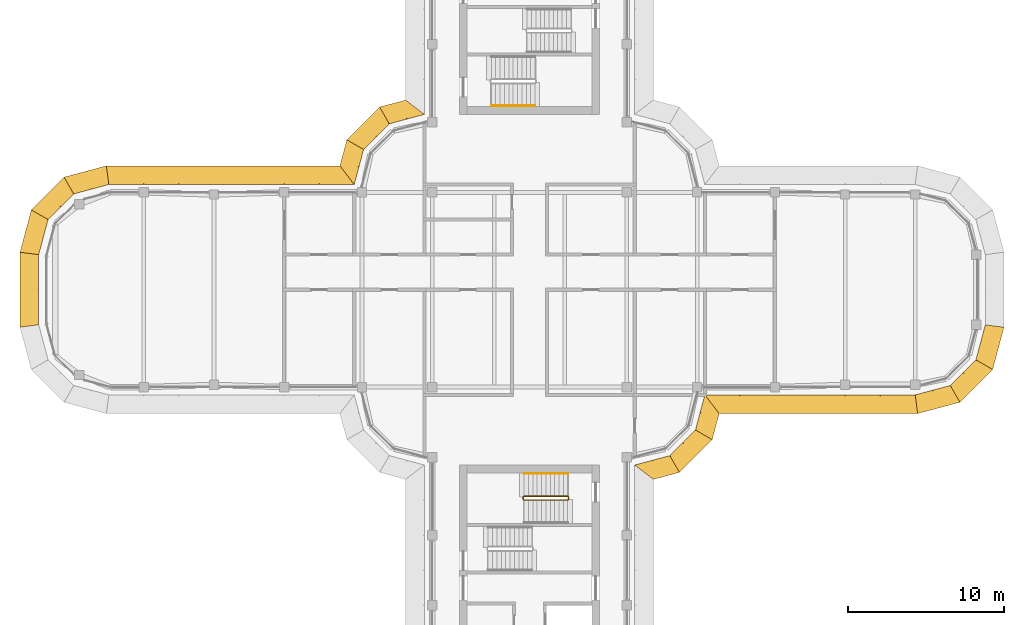
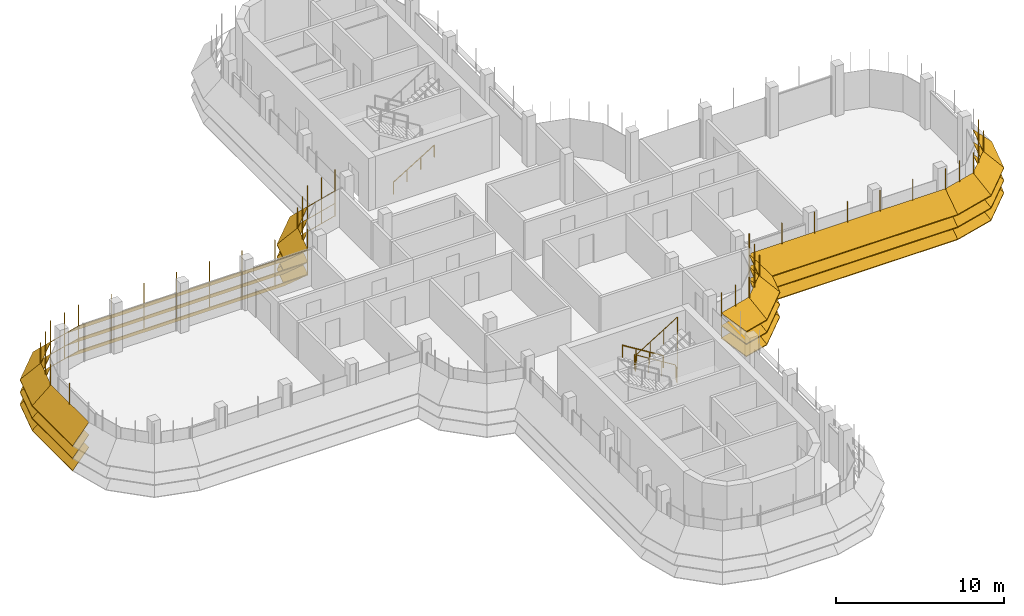
# One storey, part 17 of 19: 7 shading devices, 3 railings.
"""IFC4 building model written with IfcOpenShell, lengths in metres."""

import ifcopenshell
import ifcopenshell.guid

model = None  # the IFC model being written
_history = None  # IfcOwnerHistory: only IFC2X3 demands one
_inside = {}  # id of a spatial element -> (the spatial element, [elements in it])
_under = {}  # id of a project, library or spatial element -> (it, [spatial elements below it])
_declared = {}  # id of a project -> (the project, [libraries it declares])
_typed = {}  # id of a type object -> (the type object, [elements of that type])
_made_of = {}  # id of a material, layer set ... -> (it, [elements and type objects made of it])


def new_model(schema):
    """Start an empty IFC model of exactly this schema.

    Asked for "IFC4X3", IfcOpenShell would pick the latest addendum, in which some entities
    have other attributes; the version numbers below select the first issue.
    IFC2X3 requires an IfcOwnerHistory on every rooted entity: one is made here for all.
    """
    global model, _history
    if schema == "IFC4X3":
        model = ifcopenshell.file(schema_version=(4, 3, 0, 0))
    else:
        model = ifcopenshell.file(schema=schema)
    _inside.clear()
    _under.clear()
    _declared.clear()
    _typed.clear()
    _made_of.clear()
    _history = None
    if model.schema == "IFC2X3":
        org = make("IfcOrganization", Name="unknown")
        user = make(
            "IfcPersonAndOrganization",
            ThePerson=make("IfcPerson", FamilyName="unknown"),
            TheOrganization=org,
        )
        app = make(
            "IfcApplication",
            ApplicationDeveloper=org,
            Version="unknown",
            ApplicationFullName="unknown",
            ApplicationIdentifier="unknown",
        )
        _history = make(
            "IfcOwnerHistory",
            OwningUser=user,
            OwningApplication=app,
            ChangeAction="ADDED",
            CreationDate=0,
        )
    return model


def make(cls, **values):
    """One entity of the class cls with the attributes given. An attribute that is None is left unset."""
    return model.create_entity(
        cls, **{name: value for name, value in values.items() if value is not None}
    )


def rooted(cls, **values):
    """An entity with a GlobalId (a new one), such as an element, a storey or a relation."""
    return make(cls, GlobalId=ifcopenshell.guid.new(), OwnerHistory=_history, **values)


def si_unit(unit_type, name, prefix=None):
    """IfcSIUnit, for example si_unit("LENGTHUNIT", "METRE", prefix="MILLI")."""
    return make("IfcSIUnit", UnitType=unit_type, Prefix=prefix, Name=name)


def assignment(units):
    """IfcUnitAssignment: the units of a project."""
    return None if units is None else make("IfcUnitAssignment", Units=units)


def point(xyz):
    """IfcCartesianPoint."""
    return None if xyz is None else make("IfcCartesianPoint", Coordinates=xyz)


def direction(xyz):
    """IfcDirection."""
    return None if xyz is None else make("IfcDirection", DirectionRatios=xyz)


def frame(location, z_axis=None, x_axis=None):
    """IfcAxis2Placement3D, a coordinate frame: its origin and axes. An axis left out is left unset."""
    return make(
        "IfcAxis2Placement3D",
        Location=point(location),
        Axis=direction(z_axis),
        RefDirection=direction(x_axis),
    )


def frame_2d(location, x_axis=None):
    """IfcAxis2Placement2D, a coordinate frame in the plane: its origin and x axis."""
    return make(
        "IfcAxis2Placement2D", Location=point(location), RefDirection=direction(x_axis)
    )


def origin():
    """The frame at (0, 0, 0) with its axes left unset."""
    return frame((0.0, 0.0, 0.0))


def origin_2d():
    """The frame at (0, 0) in the plane with its x axis left unset."""
    return frame_2d((0.0, 0.0))


def place(relative_to, where):
    """IfcLocalPlacement: puts the frame where relative to a parent placement (None: the world)."""
    return make(
        "IfcLocalPlacement", PlacementRelTo=relative_to, RelativePlacement=where
    )


def context(
    kind, dimensions, precision=None, world=None, true_north=None, identifier=None
):
    """IfcGeometricRepresentationContext, for example the 3D "Model" context."""
    return make(
        "IfcGeometricRepresentationContext",
        ContextIdentifier=identifier,
        ContextType=kind,
        CoordinateSpaceDimension=dimensions,
        Precision=precision,
        WorldCoordinateSystem=world,
        TrueNorth=true_north,
    )


def subcontext(parent, identifier, kind, view, scale=None):
    """IfcGeometricRepresentationSubContext, for example "Body" below "Model"."""
    return make(
        "IfcGeometricRepresentationSubContext",
        ContextIdentifier=identifier,
        ContextType=kind,
        ParentContext=parent,
        TargetScale=scale,
        TargetView=view,
    )


def project(units=None, contexts=None):
    """IfcProject with its units and contexts."""
    return rooted(
        "IfcProject",
        Name="project",
        RepresentationContexts=contexts,
        UnitsInContext=assignment(units),
    )


def spatial(cls, under=None, at=None, **own):
    """A site, building, storey or space (cls), placed at a placement, below another one or the project."""
    s = rooted(cls, ObjectPlacement=at, **own)
    if under is not None:
        _under.setdefault(under.id(), (under, []))[1].append(s)
    return s


def polyline(points):
    """IfcPolyline through the points."""
    return make("IfcPolyline", Points=[point(p) for p in points])


def profile(cls, at=None, kind="AREA", **sizes):
    """A parametric profile (cls). Its sizes go by their IFC names, for example OverallWidth=200.0."""
    return make(cls, ProfileType=kind, Position=at, **sizes)


def circle(**sizes):
    """IfcCircleProfileDef."""
    return profile("IfcCircleProfileDef", **sizes)


def outline(outer, holes=None, kind="AREA"):
    """IfcArbitraryClosedProfileDef: a profile drawn as a closed curve; with holes, ...WithVoids."""
    if holes is None:
        return make("IfcArbitraryClosedProfileDef", ProfileType=kind, OuterCurve=outer)
    return make(
        "IfcArbitraryProfileDefWithVoids",
        ProfileType=kind,
        OuterCurve=outer,
        InnerCurves=holes,
    )


def extrude(swept, where, along, depth):
    """IfcExtrudedAreaSolid: the profile swept, set in the frame where, extruded along a direction by depth."""
    return make(
        "IfcExtrudedAreaSolid",
        SweptArea=swept,
        Position=where,
        ExtrudedDirection=direction(along),
        Depth=depth,
    )


def faces_of(points, faces, orient=None, outer=None):
    """IfcFace entities. A face is a list of loops; a loop is a list of indices into points, from 0.

    orient and outer hold one flag for each loop. By default every Orientation is true, the
    first loop of a face is its IfcFaceOuterBound and the others are IfcFaceBound.
    """
    made = []
    for i, loops in enumerate(faces):
        bounds = []
        for j, loop in enumerate(loops):
            is_outer = j == 0 if outer is None else outer[i][j]
            bounds.append(
                make(
                    "IfcFaceOuterBound" if is_outer else "IfcFaceBound",
                    Bound=make("IfcPolyLoop", Polygon=[points[k] for k in loop]),
                    Orientation=True if orient is None else orient[i][j],
                )
            )
        made.append(make("IfcFace", Bounds=bounds))
    return made


def faceted_brep(points, faces, orient=None, outer=None, voids=None):
    """IfcFacetedBrep: a solid bounded by flat faces; with voids (closed shells), ...WithVoids."""
    shared = [point(p) for p in points]
    hull = make("IfcClosedShell", CfsFaces=faces_of(shared, faces, orient, outer))
    if voids is None:
        return make("IfcFacetedBrep", Outer=hull)
    return make(
        "IfcFacetedBrepWithVoids",
        Outer=hull,
        Voids=[
            make(cls, CfsFaces=faces_of(shared, fs, o, b)) for cls, fs, o, b in voids
        ],
    )


def shape(context_of_items, identifier, shape_type, items):
    """IfcShapeRepresentation: the items that make up one representation, for example the "Body"."""
    return make(
        "IfcShapeRepresentation",
        ContextOfItems=context_of_items,
        RepresentationIdentifier=identifier,
        RepresentationType=shape_type,
        Items=items,
    )


def source(mapping_origin, context_of_items, identifier, shape_type, items):
    """IfcRepresentationMap: a shape defined once, which mapped items show again and again."""
    return make(
        "IfcRepresentationMap",
        MappingOrigin=mapping_origin,
        MappedRepresentation=shape(context_of_items, identifier, shape_type, items),
    )


def transform(
    local_origin,
    x_axis=None,
    y_axis=None,
    z_axis=None,
    scale=None,
    scale2=None,
    scale3=None,
    uniform=True,
):
    """IfcCartesianTransformationOperator3D, or its non-uniform kind. x_axis, y_axis, z_axis: its Axis1, 2, 3."""
    if uniform:
        return make(
            "IfcCartesianTransformationOperator3D",
            Axis1=direction(x_axis),
            Axis2=direction(y_axis),
            LocalOrigin=point(local_origin),
            Scale=scale,
            Axis3=direction(z_axis),
        )
    return make(
        "IfcCartesianTransformationOperator3DnonUniform",
        Axis1=direction(x_axis),
        Axis2=direction(y_axis),
        LocalOrigin=point(local_origin),
        Scale=scale,
        Axis3=direction(z_axis),
        Scale2=scale2,
        Scale3=scale3,
    )


def mapped(mapping_source, mapping_target):
    """IfcMappedItem: shows the shape of a source again, moved by a transform."""
    return make(
        "IfcMappedItem", MappingSource=mapping_source, MappingTarget=mapping_target
    )


def material(Name=None, Category=None):
    """IfcMaterial."""
    return make("IfcMaterial", Name=Name, Category=Category)


def made_of(thing, what):
    """Note that an element or type object is made of a material, layer set ...; save() writes the relation."""
    if what is not None:
        _made_of.setdefault(what.id(), (what, []))[1].append(thing)
    return thing


def type_object(cls, material=None, **own):
    """A type object (cls), such as IfcWallType, which elements share."""
    return made_of(rooted(cls, **own), material)


def element(
    cls,
    number,
    at=None,
    inside=None,
    cuts=None,
    type_object=None,
    material=None,
    context=None,
    identifier="Body",
    shape_type=None,
    held_by="IfcProductDefinitionShape",
    body=None,
    shapes=None,
    **own,
):
    """One element of the class cls, such as IfcWall. Its Tag is "e" and its number.

    at: its placement. inside: the storey or other place that contains it. cuts: it is an
    opening in that element (IfcRelVoidsElement). A single representation is given by context,
    identifier, shape_type and body (its items); several are given by shapes. held_by: the class
    of the entity that holds the representations. save() writes the other relations.
    """
    e = rooted(cls, Tag="e%d" % number, ObjectPlacement=at, **own)
    if body is not None:
        shapes = [shape(context, identifier, shape_type, body)]
    if shapes is not None:
        e.Representation = make(held_by, Representations=shapes)
    if inside is not None:
        _inside.setdefault(inside.id(), (inside, []))[1].append(e)
    if cuts is not None:
        rooted(
            "IfcRelVoidsElement", RelatingBuildingElement=cuts, RelatedOpeningElement=e
        )
    if type_object is not None:
        _typed.setdefault(type_object.id(), (type_object, []))[1].append(e)
    return made_of(e, material)


def aggregate(whole, parts):
    """IfcRelAggregates: a whole, such as a stair, and the parts it consists of."""
    return rooted("IfcRelAggregates", RelatingObject=whole, RelatedObjects=parts)


def save(model, path):
    """Write the relations noted so far, then the file.

    IfcRelAggregates (storeys below a building ...), IfcRelContainedInSpatialStructure (elements
    in a storey), IfcRelDefinesByType, IfcRelAssociatesMaterial and IfcRelDeclares: one each for
    every whole, place, type object, material and project.
    """
    for whole, parts in _under.values():
        aggregate(whole, parts)
    for where, things in _inside.values():
        rooted(
            "IfcRelContainedInSpatialStructure",
            RelatedElements=things,
            RelatingStructure=where,
        )
    for kind, things in _typed.values():
        rooted("IfcRelDefinesByType", RelatedObjects=things, RelatingType=kind)
    for what, things in _made_of.values():
        rooted("IfcRelAssociatesMaterial", RelatedObjects=things, RelatingMaterial=what)
    for by, libraries in _declared.values():
        rooted("IfcRelDeclares", RelatingContext=by, RelatedDefinitions=libraries)
    model.write(path)


model = new_model("IFC4")

# Units and contexts
model_context = context("Model", 3, precision=1e-05, world=origin(), true_north=direction((0.0, 1.0)))
body_context = subcontext(model_context, "Body", "Model", "MODEL_VIEW")
ifc_project = project(units=[si_unit("LENGTHUNIT", "METRE"), si_unit("AREAUNIT", "SQUARE_METRE"), si_unit("VOLUMEUNIT", "CUBIC_METRE"), si_unit("PLANEANGLEUNIT", "RADIAN"), si_unit("MASSUNIT", "GRAM", prefix="KILO")], contexts=[model_context])

# Site, building, storey
site_placement = place(None, origin())
site = spatial("IfcSite", under=ifc_project, at=site_placement, CompositionType="ELEMENT")
building_placement = place(site_placement, origin())
building = spatial("IfcBuilding", under=site, at=building_placement, Name="Zarbagh Exchange Tower", CompositionType="ELEMENT")
storey_placement = place(building_placement, frame((0.0, 0.0, 261.199951171875)))
storey = spatial("IfcBuildingStorey", under=building, at=storey_placement, Name="L64", CompositionType="ELEMENT", Elevation=261.199951171875)

# Railings
ifc_material_1 = material(Name="Stainless steel", Category="steel")
railing_type_1 = type_object("IfcRailingType", Name="Stair guard 1100 mm", PredefinedType="GUARDRAIL", material=ifc_material_1)
railing_1_placement = place(storey_placement, frame((-0.35009765625, -13.5, 2.07275390625)))
element("IfcRailing", 1, at=railing_1_placement, inside=storey, type_object=railing_type_1, Name="ST4 stair guard 1", PredefinedType="GUARDRAIL", context=body_context, shape_type="SweptSolid", body=[
    extrude(circle(Radius=0.02392578125, at=origin_2d()), frame((0.0, 0.0, 1.076171875), z_axis=(0.851089632645, 0.0, 0.525020415988), x_axis=(0.0, 1.0, 0.0)), (0.0, 0.0, 1.0), 3.2900390625),
    extrude(circle(Radius=0.02392578125, at=origin_2d()), frame((2.800048828125, 0.0, 2.80322265625), z_axis=(0.013168290981, 0.013168290981, -0.999826581076), x_axis=(-0.707106781187, 0.707106781187, 0.0)), (0.0, 0.0, 1.0), 3.80078125),
    extrude(circle(Radius=0.02392578125, at=origin_2d()), frame((2.85009765625, 0.050048828125, -0.99658203125), z_axis=(0.0, 1.0, 0.0), x_axis=(-1.0, 0.0, 0.0)), (0.0, 0.0, 1.0), 0.14990234375),
    extrude(circle(Radius=0.02392578125, at=origin_2d()), frame((2.85009765625, 0.199951171875, -0.99658203125), z_axis=(-0.267953482034, 0.267953482034, 0.925419830635), x_axis=(-0.707106781187, -0.707106781187, 0.0)), (0.0, 0.0, 1.0), 0.186767578125),
    extrude(circle(Radius=0.02392578125, at=origin_2d()), frame((2.800048828125, 0.25, -0.82373046875), z_axis=(-0.851089632645, 0.0, 0.525020415988), x_axis=(0.0, -1.0, 0.0)), (0.0, 0.0, 1.0), 3.2900390625),
    extrude(circle(Radius=0.02392578125, at=origin_2d()), frame((0.0, 0.25, 0.9033203125), z_axis=(-0.705375805398, -0.708833529934, 0.0), x_axis=(0.708833529934, -0.705375805398, 0.0)), (0.0, 0.0, 1.0), 0.070556640625),
    extrude(circle(Radius=0.02392578125, at=origin_2d()), frame((-0.0498046875, 0.199951171875, 0.9033203125), z_axis=(0.0, -1.0, 0.0), x_axis=(1.0, 0.0, 0.0)), (0.0, 0.0, 1.0), 0.14990234375),
    extrude(circle(Radius=0.02099609375, at=origin_2d()), origin(), (0.0, 0.0, 1.0), 1.052001953125),
    extrude(circle(Radius=0.02099609375, at=origin_2d()), frame((0.933349609375, 0.0, 0.57568359375)), (0.0, 0.0, 1.0), 1.052001953125),
    extrude(circle(Radius=0.02099609375, at=origin_2d()), frame((1.86669921875, 0.0, 1.151611328125)), (0.0, 0.0, 1.0), 1.052001953125),
    extrude(circle(Radius=0.02099609375, at=origin_2d()), frame((2.800048828125, 0.0, 1.727294921875)), (0.0, 0.0, 1.0), 1.052001953125),
    extrude(circle(Radius=0.02099609375, at=origin_2d()), frame((2.8125, 0.012451171875, 0.77734375)), (0.0, 0.0, 1.0), 1.052001953125),
    extrude(circle(Radius=0.02099609375, at=origin_2d()), frame((2.8251953125, 0.02490234375, -0.1728515625)), (0.0, 0.0, 1.0), 1.052001953125),
    extrude(circle(Radius=0.02099609375, at=origin_2d()), frame((2.837646484375, 0.03759765625, -1.122802734375)), (0.0, 0.0, 1.0), 1.052001953125),
    extrude(circle(Radius=0.02099609375, at=origin_2d()), frame((2.85009765625, 0.050048828125, -2.07275390625)), (0.0, 0.0, 1.0), 1.052001953125),
    extrude(circle(Radius=0.02099609375, at=origin_2d()), frame((2.85009765625, 0.199951171875, -2.07275390625)), (0.0, 0.0, 1.0), 1.052001953125),
    extrude(circle(Radius=0.02099609375, at=origin_2d()), frame((2.800048828125, 0.25, -1.89990234375)), (0.0, 0.0, 1.0), 1.052001953125),
    extrude(circle(Radius=0.02099609375, at=origin_2d()), frame((1.86669921875, 0.25, -1.32421875)), (0.0, 0.0, 1.0), 1.052001953125),
    extrude(circle(Radius=0.02099609375, at=origin_2d()), frame((0.933349609375, 0.25, -0.748291015625)), (0.0, 0.0, 1.0), 1.052001953125),
    extrude(circle(Radius=0.02099609375, at=origin_2d()), frame((0.0, 0.25, -0.172607421875)), (0.0, 0.0, 1.0), 1.052001953125),
    extrude(circle(Radius=0.02099609375, at=origin_2d()), frame((-0.0498046875, 0.199951171875, -0.172607421875)), (0.0, 0.0, 1.0), 1.052001953125),
    extrude(circle(Radius=0.02099609375, at=origin_2d()), frame((-0.0498046875, 0.050048828125, -0.172607421875)), (0.0, 0.0, 1.0), 1.052001953125),
])
railing_type_2 = type_object("IfcRailingType", Name="Stair handrail 900 mm", PredefinedType="HANDRAIL", material=ifc_material_1)
railing_2_placement = place(storey_placement, frame((-2.449951171875, 11.800048828125, 0.1728515625)))
element("IfcRailing", 2, at=railing_2_placement, inside=storey, type_object=railing_type_2, Name="ST2 stair handrail 1", PredefinedType="HANDRAIL", context=body_context, shape_type="SweptSolid", body=[
    extrude(circle(Radius=0.02392578125, at=origin_2d()), frame((0.0, 0.0, 0.8759765625), z_axis=(0.851089632645, 0.0, 0.525020415988), x_axis=(0.0, 1.0, 0.0)), (0.0, 0.0, 1.0), 3.2900390625),
    extrude(circle(Radius=0.02099609375, at=origin_2d()), origin(), (0.0, 0.0, 1.0), 0.851806640625),
    extrude(circle(Radius=0.02099609375, at=origin_2d()), frame((0.933349609375, 0.0, 0.57568359375)), (0.0, 0.0, 1.0), 0.851806640625),
    extrude(circle(Radius=0.02099609375, at=origin_2d()), frame((1.86669921875, 0.0, 1.151611328125)), (0.0, 0.0, 1.0), 0.851806640625),
    extrude(circle(Radius=0.02099609375, at=origin_2d()), frame((2.800048828125, 0.0, 1.727294921875)), (0.0, 0.0, 1.0), 0.851806640625),
])
railing_3_placement = place(storey_placement, frame((2.449951171875, -11.800048828125, 0.1728515625)))
element("IfcRailing", 3, at=railing_3_placement, inside=storey, type_object=railing_type_2, Name="ST4 stair handrail 1", PredefinedType="HANDRAIL", context=body_context, shape_type="SweptSolid", body=[
    extrude(circle(Radius=0.02392578125, at=origin_2d()), frame((0.0, 0.0, 0.8759765625), z_axis=(-0.851089632645, 0.0, 0.525020415988), x_axis=(0.0, -1.0, 0.0)), (0.0, 0.0, 1.0), 3.2900390625),
    extrude(circle(Radius=0.02099609375, at=origin_2d()), origin(), (0.0, 0.0, 1.0), 0.851806640625),
    extrude(circle(Radius=0.02099609375, at=origin_2d()), frame((-0.933349609375, 0.0, 0.57568359375)), (0.0, 0.0, 1.0), 0.851806640625),
    extrude(circle(Radius=0.02099609375, at=origin_2d()), frame((-1.86669921875, 0.0, 1.151611328125)), (0.0, 0.0, 1.0), 0.851806640625),
    extrude(circle(Radius=0.02099609375, at=origin_2d()), frame((-2.800048828125, 0.0, 1.727294921875)), (0.0, 0.0, 1.0), 0.851806640625),
])

# Shading devices
ifc_material_2 = material(Name="Anodised aluminium blades and brackets", Category="aluminium")
shading_device_type = type_object("IfcShadingDeviceType", Name="SUNSHADE louvre band, 45 degree blades", PredefinedType="JALOUSIE", material=ifc_material_2)
shared_shape_1 = source(origin(), body_context, "Body", "Brep", [
    faceted_brep([(0.0, 0.0, 0.0), (0.0, 0.0, -0.056640625), (-0.157958984375, -1.199951171875, -1.256591796875), (-0.157958984375, -1.199951171875, -1.199951171875), (2.65087890625, -1.199951171875, -1.199951171875), (2.65087890625, -1.199951171875, -1.256591796875), (2.329345703125, 0.0, -0.056640625), (2.329345703125, 0.0, 0.0)], [[[0, 1, 2, 3]], [[4, 5, 6, 7]], [[0, 7, 6, 1]], [[1, 6, 5, 2]], [[2, 5, 4, 3]], [[3, 4, 7, 0]]]),
])
shared_shape_2 = source(origin(), body_context, "Body", "Brep", [
    faceted_brep([(0.0, 0.0, 0.0), (0.0, 0.0, -0.056640625), (-0.321533203125, -1.199951171875, -1.256591796875), (-0.321533203125, -1.199951171875, -1.199951171875), (2.65087890625, -1.199951171875, -1.199951171875), (2.65087890625, -1.199951171875, -1.256591796875), (2.329345703125, 0.0, -0.056640625), (2.329345703125, 0.0, 0.0)], [[[0, 1, 2, 3]], [[4, 5, 6, 7]], [[0, 7, 6, 1]], [[1, 6, 5, 2]], [[2, 5, 4, 3]], [[3, 4, 7, 0]]]),
])
shared_shape_3 = source(origin(), body_context, "Body", "Brep", [
    faceted_brep([(0.0, 0.0, 0.0), (0.0, 0.0, -0.056640625), (-0.321533203125, -1.199951171875, -1.256591796875), (-0.321533203125, -1.199951171875, -1.199951171875), (2.4873046875, -1.199951171875, -1.199951171875), (2.4873046875, -1.199951171875, -1.256591796875), (2.329345703125, 0.0, -0.056640625), (2.329345703125, 0.0, 0.0)], [[[0, 1, 2, 3]], [[4, 5, 6, 7]], [[0, 7, 6, 1]], [[1, 6, 5, 2]], [[2, 5, 4, 3]], [[3, 4, 7, 0]]]),
])
shared_shape_4 = source(origin(), body_context, "Body", "SweptSolid", [
    extrude(outline(polyline([(0.0, -0.012451171875), (0.06005859375, -0.012451171875), (0.06005859375, 0.012451171875), (0.0, 0.012451171875), (0.0, -0.012451171875)])), origin(), (0.0, 0.0, 1.0), 3.366455078125),
])
placement = place(storey_placement, origin())
element("IfcShadingDevice", 4, at=placement, inside=storey, type_object=shading_device_type, Name="SS51 sunshade band", PredefinedType="JALOUSIE", context=body_context, shape_type="MappedRepresentation", body=[
    mapped(shared_shape_1, transform((24.75, -6.75, 2.300048828125), x_axis=(0.965924289636, 0.258824779902, 0.0), y_axis=(-0.258824779902, 0.965924289636, 0.0), z_axis=(0.0, 0.0, 1.0))),
    mapped(shared_shape_1, transform((24.75, -6.75, 1.400146484375), x_axis=(0.965924289636, 0.258824779902, 0.0), y_axis=(-0.258824779902, 0.965924289636, 0.0), z_axis=(0.0, 0.0, 1.0))),
    mapped(shared_shape_1, transform((24.75, -6.75, 0.5), x_axis=(0.965924289636, 0.258824779902, 0.0), y_axis=(-0.258824779902, 0.965924289636, 0.0), z_axis=(0.0, 0.0, 1.0))),
    mapped(shared_shape_2, transform((27.0, -6.147216796875, 2.300048828125), x_axis=(0.707106781187, 0.707106781187, 0.0), y_axis=(-0.707106781187, 0.707106781187, 0.0), z_axis=(0.0, 0.0, 1.0))),
    mapped(shared_shape_2, transform((27.0, -6.147216796875, 1.400146484375), x_axis=(0.707106781187, 0.707106781187, 0.0), y_axis=(-0.707106781187, 0.707106781187, 0.0), z_axis=(0.0, 0.0, 1.0))),
    mapped(shared_shape_2, transform((27.0, -6.147216796875, 0.5), x_axis=(0.707106781187, 0.707106781187, 0.0), y_axis=(-0.707106781187, 0.707106781187, 0.0), z_axis=(0.0, 0.0, 1.0))),
    mapped(shared_shape_3, transform((28.647216796875, -4.5, 2.300048828125), x_axis=(0.258824779902, 0.965924289636, 0.0), y_axis=(-0.965924289636, 0.258824779902, 0.0), z_axis=(0.0, 0.0, 1.0))),
    mapped(shared_shape_3, transform((28.647216796875, -4.5, 1.400146484375), x_axis=(0.258824779902, 0.965924289636, 0.0), y_axis=(-0.965924289636, 0.258824779902, 0.0), z_axis=(0.0, 0.0, 1.0))),
    mapped(shared_shape_3, transform((28.647216796875, -4.5, 0.5), x_axis=(0.258824779902, 0.965924289636, 0.0), y_axis=(-0.965924289636, 0.258824779902, 0.0), z_axis=(0.0, 0.0, 1.0))),
    mapped(shared_shape_4, transform((24.75, -6.75, 0.41357421875), x_axis=(0.130529263012, -0.991444457092, 0.0), y_axis=(0.991444457092, 0.130529263012, 0.0), z_axis=(0.0, 0.0, 1.0))),
    mapped(shared_shape_4, transform((25.875, -6.448486328125, 0.41357421875), x_axis=(0.258825058029, -0.96592421511, 0.0), y_axis=(0.96592421511, 0.258825058029, 0.0), z_axis=(0.0, 0.0, 1.0))),
    mapped(shared_shape_4, transform((27.0, -6.147216796875, 0.41357421875), x_axis=(0.50000275701, -0.866023812018, 0.0), y_axis=(0.866023812018, 0.50000275701, 0.0), z_axis=(0.0, 0.0, 1.0))),
    mapped(shared_shape_4, transform((27.823486328125, -5.323486328125, 0.41357421875), x_axis=(0.707106781187, -0.707106781187, 0.0), y_axis=(0.707106781187, 0.707106781187, 0.0), z_axis=(0.0, 0.0, 1.0))),
    mapped(shared_shape_4, transform((28.647216796875, -4.5, 0.41357421875), x_axis=(0.866023812018, -0.50000275701, 0.0), y_axis=(0.50000275701, 0.866023812018, 0.0), z_axis=(0.0, 0.0, 1.0))),
    mapped(shared_shape_4, transform((28.948486328125, -3.375, 0.41357421875), x_axis=(0.96592421511, -0.258825058029, 0.0), y_axis=(0.258825058029, 0.96592421511, 0.0), z_axis=(0.0, 0.0, 1.0))),
])
element("IfcShadingDevice", 5, at=placement, inside=storey, type_object=shading_device_type, Name="SS41 sunshade band", PredefinedType="JALOUSIE", context=body_context, shape_type="MappedRepresentation", body=[
    mapped(shared_shape_1, transform((-27.0, 6.75, 2.300048828125), x_axis=(-0.965924289636, -0.258824779902, 0.0), y_axis=(0.258824779902, -0.965924289636, 0.0), z_axis=(0.0, 0.0, 1.0))),
    mapped(shared_shape_1, transform((-27.0, 6.75, 1.400146484375), x_axis=(-0.965924289636, -0.258824779902, 0.0), y_axis=(0.258824779902, -0.965924289636, 0.0), z_axis=(0.0, 0.0, 1.0))),
    mapped(shared_shape_1, transform((-27.0, 6.75, 0.5), x_axis=(-0.965924289636, -0.258824779902, 0.0), y_axis=(0.258824779902, -0.965924289636, 0.0), z_axis=(0.0, 0.0, 1.0))),
    mapped(shared_shape_2, transform((-29.25, 6.147216796875, 2.300048828125), x_axis=(-0.707106781187, -0.707106781187, 0.0), y_axis=(0.707106781187, -0.707106781187, 0.0), z_axis=(0.0, 0.0, 1.0))),
    mapped(shared_shape_2, transform((-29.25, 6.147216796875, 1.400146484375), x_axis=(-0.707106781187, -0.707106781187, 0.0), y_axis=(0.707106781187, -0.707106781187, 0.0), z_axis=(0.0, 0.0, 1.0))),
    mapped(shared_shape_2, transform((-29.25, 6.147216796875, 0.5), x_axis=(-0.707106781187, -0.707106781187, 0.0), y_axis=(0.707106781187, -0.707106781187, 0.0), z_axis=(0.0, 0.0, 1.0))),
    mapped(shared_shape_3, transform((-30.897216796875, 4.5, 2.300048828125), x_axis=(-0.258824779902, -0.965924289636, 0.0), y_axis=(0.965924289636, -0.258824779902, 0.0), z_axis=(0.0, 0.0, 1.0))),
    mapped(shared_shape_3, transform((-30.897216796875, 4.5, 1.400146484375), x_axis=(-0.258824779902, -0.965924289636, 0.0), y_axis=(0.965924289636, -0.258824779902, 0.0), z_axis=(0.0, 0.0, 1.0))),
    mapped(shared_shape_3, transform((-30.897216796875, 4.5, 0.5), x_axis=(-0.258824779902, -0.965924289636, 0.0), y_axis=(0.965924289636, -0.258824779902, 0.0), z_axis=(0.0, 0.0, 1.0))),
    mapped(shared_shape_4, transform((-27.0, 6.75, 0.41357421875), x_axis=(-0.130529263012, 0.991444457092, 0.0), y_axis=(-0.991444457092, -0.130529263012, 0.0), z_axis=(0.0, 0.0, 1.0))),
    mapped(shared_shape_4, transform((-28.125, 6.448486328125, 0.41357421875), x_axis=(-0.258825058029, 0.96592421511, 0.0), y_axis=(-0.96592421511, -0.258825058029, 0.0), z_axis=(0.0, 0.0, 1.0))),
    mapped(shared_shape_4, transform((-29.25, 6.147216796875, 0.41357421875), x_axis=(-0.50000275701, 0.866023812018, 0.0), y_axis=(-0.866023812018, -0.50000275701, 0.0), z_axis=(0.0, 0.0, 1.0))),
    mapped(shared_shape_4, transform((-30.073486328125, 5.323486328125, 0.41357421875), x_axis=(-0.707106781187, 0.707106781187, 0.0), y_axis=(-0.707106781187, -0.707106781187, 0.0), z_axis=(0.0, 0.0, 1.0))),
    mapped(shared_shape_4, transform((-30.897216796875, 4.5, 0.41357421875), x_axis=(-0.866023812018, 0.50000275701, 0.0), y_axis=(-0.50000275701, -0.866023812018, 0.0), z_axis=(0.0, 0.0, 1.0))),
    mapped(shared_shape_4, transform((-31.198486328125, 3.375, 0.41357421875), x_axis=(-0.96592421511, 0.258825058029, 0.0), y_axis=(-0.258825058029, -0.96592421511, 0.0), z_axis=(0.0, 0.0, 1.0))),
])
shared_shape_5 = source(origin(), body_context, "Body", "Brep", [
    faceted_brep([(0.0, 0.0, 0.0), (0.0, 0.0, -0.056640625), (0.9208984375, -1.199951171875, -1.256591796875), (0.9208984375, -1.199951171875, -1.199951171875), (2.65087890625, -1.199951171875, -1.199951171875), (2.65087890625, -1.199951171875, -1.256591796875), (2.329345703125, 0.0, -0.056640625), (2.329345703125, 0.0, 0.0)], [[[0, 1, 2, 3]], [[4, 5, 6, 7]], [[0, 7, 6, 1]], [[1, 6, 5, 2]], [[2, 5, 4, 3]], [[3, 4, 7, 0]]]),
])
shared_shape_6 = source(origin(), body_context, "Body", "Brep", [
    faceted_brep([(0.0, 0.0, 0.0), (0.0, 0.0, -0.056640625), (-0.321533203125, -1.199951171875, -1.256591796875), (-0.321533203125, -1.199951171875, -1.199951171875), (1.40869140625, -1.199951171875, -1.199951171875), (1.40869140625, -1.199951171875, -1.256591796875), (2.329345703125, 0.0, -0.056640625), (2.329345703125, 0.0, 0.0)], [[[0, 1, 2, 3]], [[4, 5, 6, 7]], [[0, 7, 6, 1]], [[1, 6, 5, 2]], [[2, 5, 4, 3]], [[3, 4, 7, 0]]]),
])
element("IfcShadingDevice", 6, at=placement, inside=storey, type_object=shading_device_type, Name="SS03 sunshade band", PredefinedType="JALOUSIE", context=body_context, shape_type="MappedRepresentation", body=[
    mapped(shared_shape_5, transform((6.75, -11.25, 2.300048828125), x_axis=(0.965924289636, 0.258824779902, 0.0), y_axis=(-0.258824779902, 0.965924289636, 0.0), z_axis=(0.0, 0.0, 1.0))),
    mapped(shared_shape_5, transform((6.75, -11.25, 1.400146484375), x_axis=(0.965924289636, 0.258824779902, 0.0), y_axis=(-0.258824779902, 0.965924289636, 0.0), z_axis=(0.0, 0.0, 1.0))),
    mapped(shared_shape_5, transform((6.75, -11.25, 0.5), x_axis=(0.965924289636, 0.258824779902, 0.0), y_axis=(-0.258824779902, 0.965924289636, 0.0), z_axis=(0.0, 0.0, 1.0))),
    mapped(shared_shape_2, transform((9.0, -10.647216796875, 2.300048828125), x_axis=(0.707106781187, 0.707106781187, 0.0), y_axis=(-0.707106781187, 0.707106781187, 0.0), z_axis=(0.0, 0.0, 1.0))),
    mapped(shared_shape_2, transform((9.0, -10.647216796875, 1.400146484375), x_axis=(0.707106781187, 0.707106781187, 0.0), y_axis=(-0.707106781187, 0.707106781187, 0.0), z_axis=(0.0, 0.0, 1.0))),
    mapped(shared_shape_2, transform((9.0, -10.647216796875, 0.5), x_axis=(0.707106781187, 0.707106781187, 0.0), y_axis=(-0.707106781187, 0.707106781187, 0.0), z_axis=(0.0, 0.0, 1.0))),
    mapped(shared_shape_6, transform((10.647216796875, -9.0, 2.300048828125), x_axis=(0.258824779902, 0.965924289636, 0.0), y_axis=(-0.965924289636, 0.258824779902, 0.0), z_axis=(0.0, 0.0, 1.0))),
    mapped(shared_shape_6, transform((10.647216796875, -9.0, 1.400146484375), x_axis=(0.258824779902, 0.965924289636, 0.0), y_axis=(-0.965924289636, 0.258824779902, 0.0), z_axis=(0.0, 0.0, 1.0))),
    mapped(shared_shape_6, transform((10.647216796875, -9.0, 0.5), x_axis=(0.258824779902, 0.965924289636, 0.0), y_axis=(-0.965924289636, 0.258824779902, 0.0), z_axis=(0.0, 0.0, 1.0))),
    mapped(shared_shape_4, transform((6.75, -11.25, 0.41357421875), x_axis=(0.793355287, -0.608758892, 0.0), y_axis=(0.608758892, 0.793355287, 0.0), z_axis=(0.0, 0.0, 1.0))),
    mapped(shared_shape_4, transform((7.875, -10.948486328125, 0.41357421875), x_axis=(0.258825058029, -0.96592421511, 0.0), y_axis=(0.96592421511, 0.258825058029, 0.0), z_axis=(0.0, 0.0, 1.0))),
    mapped(shared_shape_4, transform((9.0, -10.647216796875, 0.41357421875), x_axis=(0.50000275701, -0.866023812018, 0.0), y_axis=(0.866023812018, 0.50000275701, 0.0), z_axis=(0.0, 0.0, 1.0))),
    mapped(shared_shape_4, transform((9.823486328125, -9.823486328125, 0.41357421875), x_axis=(0.707106781187, -0.707106781187, 0.0), y_axis=(0.707106781187, 0.707106781187, 0.0), z_axis=(0.0, 0.0, 1.0))),
    mapped(shared_shape_4, transform((10.647216796875, -9.0, 0.41357421875), x_axis=(0.866023812018, -0.50000275701, 0.0), y_axis=(0.50000275701, 0.866023812018, 0.0), z_axis=(0.0, 0.0, 1.0))),
    mapped(shared_shape_4, transform((10.948486328125, -7.875, 0.41357421875), x_axis=(0.96592421511, -0.258825058029, 0.0), y_axis=(0.258825058029, 0.96592421511, 0.0), z_axis=(0.0, 0.0, 1.0))),
])
element("IfcShadingDevice", 7, at=placement, inside=storey, type_object=shading_device_type, Name="SS15 sunshade band", PredefinedType="JALOUSIE", context=body_context, shape_type="MappedRepresentation", body=[
    mapped(shared_shape_5, transform((-6.75, 11.25, 2.300048828125), x_axis=(-0.965924289636, -0.258824779902, 0.0), y_axis=(0.258824779902, -0.965924289636, 0.0), z_axis=(0.0, 0.0, 1.0))),
    mapped(shared_shape_5, transform((-6.75, 11.25, 1.400146484375), x_axis=(-0.965924289636, -0.258824779902, 0.0), y_axis=(0.258824779902, -0.965924289636, 0.0), z_axis=(0.0, 0.0, 1.0))),
    mapped(shared_shape_5, transform((-6.75, 11.25, 0.5), x_axis=(-0.965924289636, -0.258824779902, 0.0), y_axis=(0.258824779902, -0.965924289636, 0.0), z_axis=(0.0, 0.0, 1.0))),
    mapped(shared_shape_2, transform((-9.0, 10.647216796875, 2.300048828125), x_axis=(-0.707106781187, -0.707106781187, 0.0), y_axis=(0.707106781187, -0.707106781187, 0.0), z_axis=(0.0, 0.0, 1.0))),
    mapped(shared_shape_2, transform((-9.0, 10.647216796875, 1.400146484375), x_axis=(-0.707106781187, -0.707106781187, 0.0), y_axis=(0.707106781187, -0.707106781187, 0.0), z_axis=(0.0, 0.0, 1.0))),
    mapped(shared_shape_2, transform((-9.0, 10.647216796875, 0.5), x_axis=(-0.707106781187, -0.707106781187, 0.0), y_axis=(0.707106781187, -0.707106781187, 0.0), z_axis=(0.0, 0.0, 1.0))),
    mapped(shared_shape_6, transform((-10.647216796875, 9.0, 2.300048828125), x_axis=(-0.258824779902, -0.965924289636, 0.0), y_axis=(0.965924289636, -0.258824779902, 0.0), z_axis=(0.0, 0.0, 1.0))),
    mapped(shared_shape_6, transform((-10.647216796875, 9.0, 1.400146484375), x_axis=(-0.258824779902, -0.965924289636, 0.0), y_axis=(0.965924289636, -0.258824779902, 0.0), z_axis=(0.0, 0.0, 1.0))),
    mapped(shared_shape_6, transform((-10.647216796875, 9.0, 0.5), x_axis=(-0.258824779902, -0.965924289636, 0.0), y_axis=(0.965924289636, -0.258824779902, 0.0), z_axis=(0.0, 0.0, 1.0))),
    mapped(shared_shape_4, transform((-6.75, 11.25, 0.41357421875), x_axis=(-0.793355287, 0.608758892, 0.0), y_axis=(-0.608758892, -0.793355287, 0.0), z_axis=(0.0, 0.0, 1.0))),
    mapped(shared_shape_4, transform((-7.875, 10.948486328125, 0.41357421875), x_axis=(-0.258825058029, 0.96592421511, 0.0), y_axis=(-0.96592421511, -0.258825058029, 0.0), z_axis=(0.0, 0.0, 1.0))),
    mapped(shared_shape_4, transform((-9.0, 10.647216796875, 0.41357421875), x_axis=(-0.50000275701, 0.866023812018, 0.0), y_axis=(-0.866023812018, -0.50000275701, 0.0), z_axis=(0.0, 0.0, 1.0))),
    mapped(shared_shape_4, transform((-9.823486328125, 9.823486328125, 0.41357421875), x_axis=(-0.707106781187, 0.707106781187, 0.0), y_axis=(-0.707106781187, -0.707106781187, 0.0), z_axis=(0.0, 0.0, 1.0))),
    mapped(shared_shape_4, transform((-10.647216796875, 9.0, 0.41357421875), x_axis=(-0.866023812018, 0.50000275701, 0.0), y_axis=(-0.50000275701, -0.866023812018, 0.0), z_axis=(0.0, 0.0, 1.0))),
    mapped(shared_shape_4, transform((-10.948486328125, 7.875, 0.41357421875), x_axis=(-0.96592421511, 0.258825058029, 0.0), y_axis=(-0.258825058029, -0.96592421511, 0.0), z_axis=(0.0, 0.0, 1.0))),
])
shared_shape_7 = source(origin(), body_context, "Body", "Brep", [
    faceted_brep([(0.0, 0.0, 0.0), (0.0, 0.0, -0.056640625), (0.9208984375, -1.199951171875, -1.256591796875), (0.9208984375, -1.199951171875, -1.199951171875), (13.657958984375, -1.199951171875, -1.199951171875), (13.657958984375, -1.199951171875, -1.256591796875), (13.5, 0.0, -0.056640625), (13.5, 0.0, 0.0)], [[[0, 1, 2, 3]], [[4, 5, 6, 7]], [[0, 7, 6, 1]], [[1, 6, 5, 2]], [[2, 5, 4, 3]], [[3, 4, 7, 0]]]),
])
element("IfcShadingDevice", 8, at=placement, inside=storey, type_object=shading_device_type, Name="SS50 sunshade band", PredefinedType="JALOUSIE", context=body_context, shape_type="MappedRepresentation", body=[
    mapped(shared_shape_7, transform((11.25, -6.75, 2.300048828125), x_axis=(1.0, 0.0, 0.0), y_axis=(0.0, 1.0, 0.0), z_axis=(0.0, 0.0, 1.0))),
    mapped(shared_shape_7, transform((11.25, -6.75, 1.400146484375), x_axis=(1.0, 0.0, 0.0), y_axis=(0.0, 1.0, 0.0), z_axis=(0.0, 0.0, 1.0))),
    mapped(shared_shape_7, transform((11.25, -6.75, 0.5), x_axis=(1.0, 0.0, 0.0), y_axis=(0.0, 1.0, 0.0), z_axis=(0.0, 0.0, 1.0))),
    mapped(shared_shape_4, transform((11.25, -6.75, 0.41357421875), x_axis=(0.608758892, -0.793355287, 0.0), y_axis=(0.793355287, 0.608758892, 0.0), z_axis=(0.0, 0.0, 1.0))),
    mapped(shared_shape_4, transform((13.5, -6.75, 0.41357421875), x_axis=(0.0, -1.0, 0.0), y_axis=(1.0, 0.0, 0.0), z_axis=(0.0, 0.0, 1.0))),
    mapped(shared_shape_4, transform((15.75, -6.75, 0.41357421875), x_axis=(0.0, -1.0, 0.0), y_axis=(1.0, 0.0, 0.0), z_axis=(0.0, 0.0, 1.0))),
    mapped(shared_shape_4, transform((18.0, -6.75, 0.41357421875), x_axis=(0.0, -1.0, 0.0), y_axis=(1.0, 0.0, 0.0), z_axis=(0.0, 0.0, 1.0))),
    mapped(shared_shape_4, transform((20.25, -6.75, 0.41357421875), x_axis=(0.0, -1.0, 0.0), y_axis=(1.0, 0.0, 0.0), z_axis=(0.0, 0.0, 1.0))),
    mapped(shared_shape_4, transform((22.5, -6.75, 0.41357421875), x_axis=(0.0, -1.0, 0.0), y_axis=(1.0, 0.0, 0.0), z_axis=(0.0, 0.0, 1.0))),
])
shared_shape_8 = source(origin(), body_context, "Body", "Brep", [
    faceted_brep([(0.0, 0.0, 0.0), (0.0, 0.0, -0.056640625), (0.9208984375, -1.199951171875, -1.256591796875), (0.9208984375, -1.199951171875, -1.199951171875), (15.907958984375, -1.199951171875, -1.199951171875), (15.907958984375, -1.199951171875, -1.256591796875), (15.75, 0.0, -0.056640625), (15.75, 0.0, 0.0)], [[[0, 1, 2, 3]], [[4, 5, 6, 7]], [[0, 7, 6, 1]], [[1, 6, 5, 2]], [[2, 5, 4, 3]], [[3, 4, 7, 0]]]),
])
element("IfcShadingDevice", 9, at=placement, inside=storey, type_object=shading_device_type, Name="SS40 sunshade band", PredefinedType="JALOUSIE", context=body_context, shape_type="MappedRepresentation", body=[
    mapped(shared_shape_8, transform((-11.25, 6.75, 2.300048828125), x_axis=(-1.0, 0.0, 0.0), y_axis=(0.0, -1.0, 0.0), z_axis=(0.0, 0.0, 1.0))),
    mapped(shared_shape_8, transform((-11.25, 6.75, 1.400146484375), x_axis=(-1.0, 0.0, 0.0), y_axis=(0.0, -1.0, 0.0), z_axis=(0.0, 0.0, 1.0))),
    mapped(shared_shape_8, transform((-11.25, 6.75, 0.5), x_axis=(-1.0, 0.0, 0.0), y_axis=(0.0, -1.0, 0.0), z_axis=(0.0, 0.0, 1.0))),
    mapped(shared_shape_4, transform((-11.25, 6.75, 0.41357421875), x_axis=(-0.608758892, 0.793355287, 0.0), y_axis=(-0.793355287, -0.608758892, 0.0), z_axis=(0.0, 0.0, 1.0))),
    mapped(shared_shape_4, transform((-13.5, 6.75, 0.41357421875), x_axis=(0.0, 1.0, 0.0), y_axis=(-1.0, 0.0, 0.0), z_axis=(0.0, 0.0, 1.0))),
    mapped(shared_shape_4, transform((-15.75, 6.75, 0.41357421875), x_axis=(0.0, 1.0, 0.0), y_axis=(-1.0, 0.0, 0.0), z_axis=(0.0, 0.0, 1.0))),
    mapped(shared_shape_4, transform((-18.0, 6.75, 0.41357421875), x_axis=(0.0, 1.0, 0.0), y_axis=(-1.0, 0.0, 0.0), z_axis=(0.0, 0.0, 1.0))),
    mapped(shared_shape_4, transform((-20.25, 6.75, 0.41357421875), x_axis=(0.0, 1.0, 0.0), y_axis=(-1.0, 0.0, 0.0), z_axis=(0.0, 0.0, 1.0))),
    mapped(shared_shape_4, transform((-22.5, 6.75, 0.41357421875), x_axis=(0.0, 1.0, 0.0), y_axis=(-1.0, 0.0, 0.0), z_axis=(0.0, 0.0, 1.0))),
    mapped(shared_shape_4, transform((-24.75, 6.75, 0.41357421875), x_axis=(0.0, 1.0, 0.0), y_axis=(-1.0, 0.0, 0.0), z_axis=(0.0, 0.0, 1.0))),
])
shared_shape_9 = source(origin(), body_context, "Body", "Brep", [
    faceted_brep([(0.0, 0.0, 0.0), (0.0, 0.0, -0.056640625), (-0.157958984375, -1.199951171875, -1.256591796875), (-0.157958984375, -1.199951171875, -1.199951171875), (4.657958984375, -1.199951171875, -1.199951171875), (4.657958984375, -1.199951171875, -1.256591796875), (4.5, 0.0, -0.056640625), (4.5, 0.0, 0.0)], [[[0, 1, 2, 3]], [[4, 5, 6, 7]], [[0, 7, 6, 1]], [[1, 6, 5, 2]], [[2, 5, 4, 3]], [[3, 4, 7, 0]]]),
])
element("IfcShadingDevice", 10, at=placement, inside=storey, type_object=shading_device_type, Name="SS42 sunshade band", PredefinedType="JALOUSIE", context=body_context, shape_type="MappedRepresentation", body=[
    mapped(shared_shape_9, transform((-31.5, 2.25, 2.300048828125), x_axis=(0.0, -1.0, 0.0), y_axis=(1.0, 0.0, 0.0), z_axis=(0.0, 0.0, 1.0))),
    mapped(shared_shape_9, transform((-31.5, 2.25, 1.400146484375), x_axis=(0.0, -1.0, 0.0), y_axis=(1.0, 0.0, 0.0), z_axis=(0.0, 0.0, 1.0))),
    mapped(shared_shape_9, transform((-31.5, 2.25, 0.5), x_axis=(0.0, -1.0, 0.0), y_axis=(1.0, 0.0, 0.0), z_axis=(0.0, 0.0, 1.0))),
    mapped(shared_shape_4, transform((-31.5, 2.25, 0.41357421875), x_axis=(-0.991444457092, 0.130529263012, 0.0), y_axis=(-0.130529263012, -0.991444457092, 0.0), z_axis=(0.0, 0.0, 1.0))),
    mapped(shared_shape_4, transform((-31.5, 0.0, 0.41357421875), x_axis=(-1.0, 0.0, 0.0), y_axis=(0.0, -1.0, 0.0), z_axis=(0.0, 0.0, 1.0))),
])

save(model, "model.ifc")
